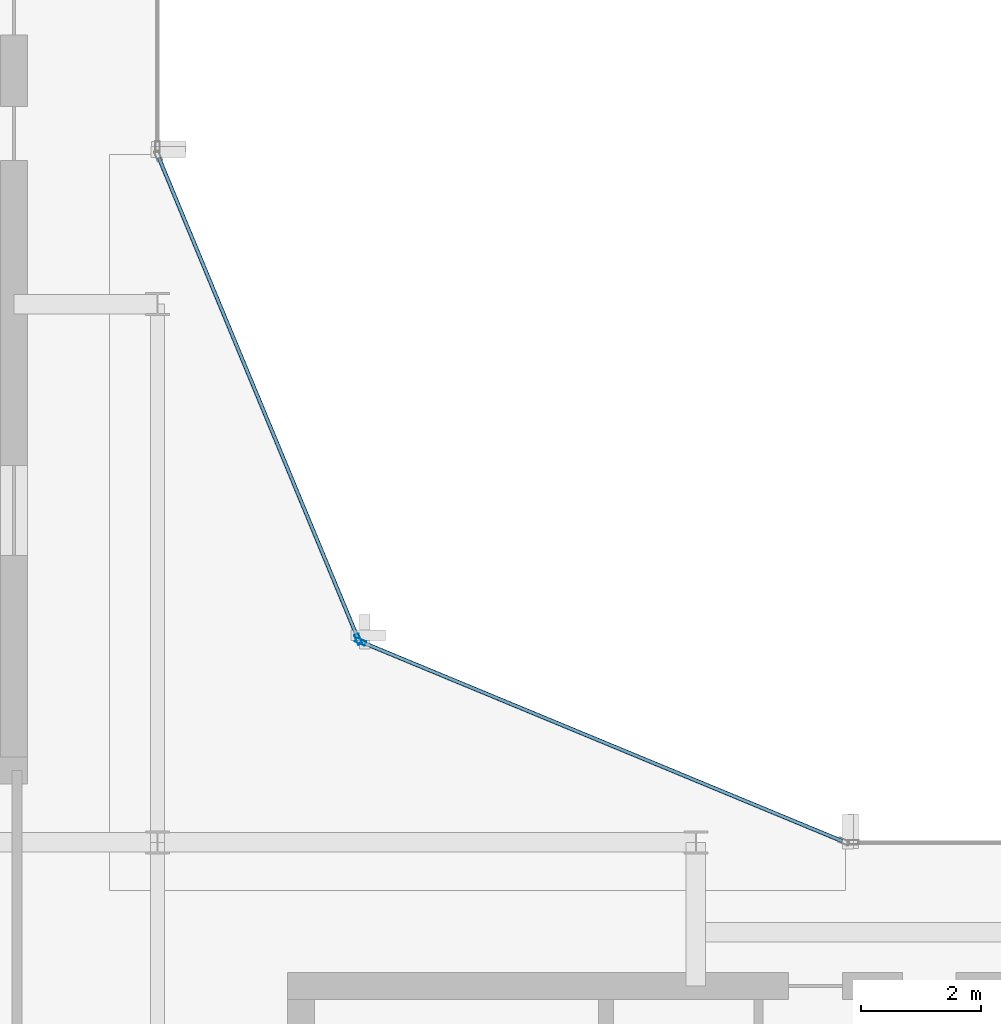
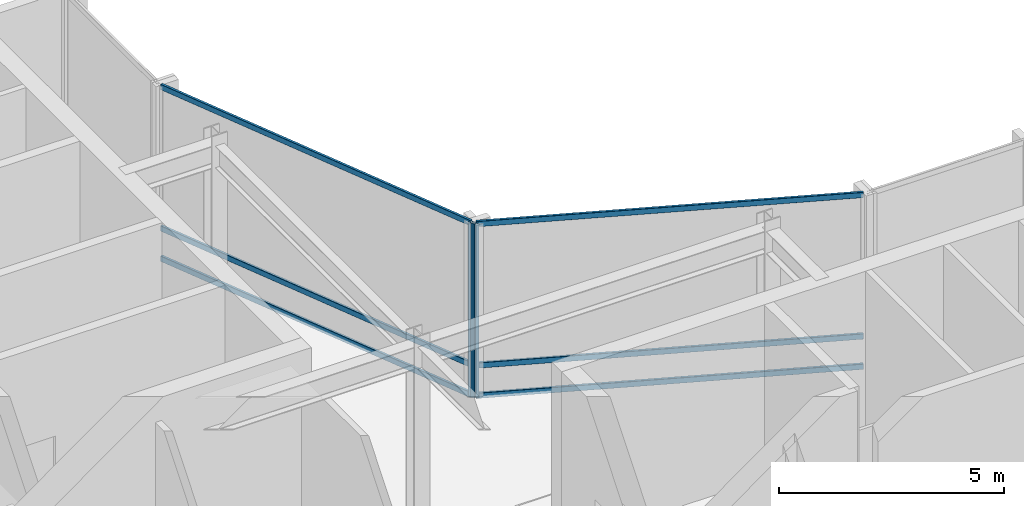
# One storey, part 10 of 23: 8 members, 2 elements without a shape of their own.
"""IFC4 building model written with IfcOpenShell, lengths in metres."""

from ifc_helpers import new_model, si_unit, direction, frame, origin, origin_2d, place, context, subcontext, project, spatial, hollow_rectangle, extrude, material, layer, layer_set, material_profile, profile_set, type_object, element, aggregate, save


model = new_model("IFC4")

# Units and contexts
model_context = context("Model", 3, precision=1e-05, world=origin(), true_north=direction((0.0, 1.0)))
body_context = subcontext(model_context, "Body", "Model", "MODEL_VIEW")
ifc_project = project(units=[si_unit("LENGTHUNIT", "METRE"), si_unit("AREAUNIT", "SQUARE_METRE"), si_unit("VOLUMEUNIT", "CUBIC_METRE"), si_unit("PLANEANGLEUNIT", "RADIAN"), si_unit("MASSUNIT", "GRAM", prefix="KILO")], contexts=[model_context])

# Site, building, storey
site_placement = place(None, origin())
site = spatial("IfcSite", under=ifc_project, at=site_placement, CompositionType="ELEMENT")
building_placement = place(site_placement, origin())
building = spatial("IfcBuilding", under=site, at=building_placement, Name="Solvaryn Broadcast Tower", CompositionType="ELEMENT")
storey_placement = place(building_placement, frame((0.0, 0.0, 235.800048828125)))
storey = spatial("IfcBuildingStorey", under=building, at=storey_placement, Name="L59", CompositionType="ELEMENT", Elevation=235.800048828125)

# Curtain wall, member
ifc_material_1 = material(Name="Aluminium and Terracotta Unitised Curtain Wall", Category="masonry")
ifc_layer = layer(ifc_material_1, 0.25)
ifc_layer_set = layer_set([ifc_layer], Name="CW-SYS4-SKYGARDEN")
curtain_wall_type = type_object("IfcCurtainWallType", Name="CW-SYS4-SKYGARDEN", PredefinedType="NOTDEFINED", material=ifc_layer_set)
curtain_wall_1_placement = place(storey_placement, origin())
curtain_wall_1 = element("IfcCurtainWall", 1, at=curtain_wall_1_placement, inside=storey, type_object=curtain_wall_type, Name="L59 Curtain Wall CN1", PredefinedType="NOTDEFINED")
ifc_material_2 = material(Name="Anodised Aluminium 6063-T6", Category="aluminium")
ifc_material_profile_1 = material_profile(ifc_material_2, hollow_rectangle(XDim=0.074951171875, YDim=0.179931640625, WallThickness=0.00390625, InnerFilletRadius=0.00390625, OuterFilletRadius=0.008056640625, at=origin_2d()))
ifc_profile_set_1 = profile_set([ifc_material_profile_1], Name="Anodised Aluminium 6063-T6")
member_type_1 = type_object("IfcMemberType", Name="CW-MUL-180", PredefinedType="MULLION", material=ifc_profile_set_1)
member_1_placement = place(storey_placement, frame((30.395751953125, 30.3564453125, 0.0), z_axis=(0.0, 0.0, 1.0), x_axis=(-0.382646127145, -0.923894983957, 0.0)))
member_1 = element("IfcMember", 2, at=member_1_placement, type_object=member_type_1, Name="CWS4 mullion 2", PredefinedType="MULLION", context=body_context, shape_type="SweptSolid", body=[
    extrude(hollow_rectangle(XDim=0.074951171875, YDim=0.179931640625, WallThickness=0.00390625, InnerFilletRadius=0.00390625, OuterFilletRadius=0.008056640625, at=origin_2d()), origin(), (0.0, 0.0, 1.0), 4.719970703125),
])

curtain_wall_2_placement = place(storey_placement, origin())
curtain_wall_2 = element("IfcCurtainWall", 3, at=curtain_wall_2_placement, inside=storey, type_object=curtain_wall_type, Name="L59 Curtain Wall CN2", PredefinedType="NOTDEFINED")
member_2_placement = place(storey_placement, frame((30.3564453125, 30.395751953125, 0.0), z_axis=(0.0, 0.0, 1.0), x_axis=(-0.923894983957, -0.382646127145, 0.0)))
member_2 = element("IfcMember", 4, at=member_2_placement, type_object=member_type_1, Name="CWS4 mullion 1", PredefinedType="MULLION", context=body_context, shape_type="SweptSolid", body=[
    extrude(hollow_rectangle(XDim=0.074951171875, YDim=0.179931640625, WallThickness=0.00390625, InnerFilletRadius=0.00390625, OuterFilletRadius=0.008056640625, at=origin_2d()), origin(), (0.0, 0.0, 1.0), 4.719970703125),
])

# Member
ifc_material_3 = material(Name="Anodised Aluminium 6063-T6", Category="aluminium")
ifc_material_profile_2 = material_profile(ifc_material_3, hollow_rectangle(XDim=0.06494140625, YDim=0.14990234375, WallThickness=0.00390625, InnerFilletRadius=0.00390625, OuterFilletRadius=0.008056640625, at=origin_2d()))
ifc_profile_set_2 = profile_set([ifc_material_profile_2], Name="Anodised Aluminium 6063-T6")
member_type_2 = type_object("IfcMemberType", Name="CW-TRN-150", PredefinedType="USERDEFINED", material=ifc_profile_set_2)
member_3_placement = place(storey_placement, frame((38.444580078125, 27.02294921875, 0.030029296875), z_axis=(-0.923899282177, 0.382635748975, 0.0), x_axis=(-0.382635748975, -0.923899282177, 0.0)))
member_3 = element("IfcMember", 5, at=member_3_placement, type_object=member_type_2, Name="CWS4 transom 1.1", ObjectType="TRANSOM", PredefinedType="USERDEFINED", context=body_context, shape_type="SweptSolid", body=[
    extrude(hollow_rectangle(XDim=0.06494140625, YDim=0.14990234375, WallThickness=0.00390625, InnerFilletRadius=0.00390625, OuterFilletRadius=0.008056640625, at=origin_2d()), origin(), (0.0, 0.0, 1.0), 8.681884765625),
])

member_4_placement = place(storey_placement, frame((38.444580078125, 27.02294921875, 0.849853515625), z_axis=(-0.923899282177, 0.382635748975, 0.0), x_axis=(-0.382635748975, -0.923899282177, 0.0)))
member_4 = element("IfcMember", 6, at=member_4_placement, type_object=member_type_2, Name="CWS4 transom 1.2", ObjectType="TRANSOM", PredefinedType="USERDEFINED", context=body_context, shape_type="SweptSolid", body=[
    extrude(hollow_rectangle(XDim=0.06494140625, YDim=0.14990234375, WallThickness=0.00390625, InnerFilletRadius=0.00390625, OuterFilletRadius=0.008056640625, at=origin_2d()), origin(), (0.0, 0.0, 1.0), 8.681884765625),
])

member_5_placement = place(storey_placement, frame((38.444580078125, 27.02294921875, 4.68994140625), z_axis=(-0.923899282177, 0.382635748975, 0.0), x_axis=(-0.382635748975, -0.923899282177, 0.0)))
member_5 = element("IfcMember", 7, at=member_5_placement, type_object=member_type_2, Name="CWS4 transom 1.3", ObjectType="TRANSOM", PredefinedType="USERDEFINED", context=body_context, shape_type="SweptSolid", body=[
    extrude(hollow_rectangle(XDim=0.06494140625, YDim=0.14990234375, WallThickness=0.00390625, InnerFilletRadius=0.00390625, OuterFilletRadius=0.008056640625, at=origin_2d()), origin(), (0.0, 0.0, 1.0), 8.681884765625),
])

aggregate(curtain_wall_1, [member_1, member_3, member_4, member_5])

member_6_placement = place(storey_placement, frame((30.344970703125, 30.42333984375, 0.030029296875), z_axis=(-0.382635748975, 0.923899282177, 0.0), x_axis=(-0.923899282177, -0.382635748975, 0.0)))
member_6 = element("IfcMember", 8, at=member_6_placement, type_object=member_type_2, Name="CWS4 transom 1.1", ObjectType="TRANSOM", PredefinedType="USERDEFINED", context=body_context, shape_type="SweptSolid", body=[
    extrude(hollow_rectangle(XDim=0.06494140625, YDim=0.14990234375, WallThickness=0.00390625, InnerFilletRadius=0.00390625, OuterFilletRadius=0.008056640625, at=origin_2d()), origin(), (0.0, 0.0, 1.0), 8.681884765625),
])

member_7_placement = place(storey_placement, frame((30.344970703125, 30.42333984375, 0.849853515625), z_axis=(-0.382635748975, 0.923899282177, 0.0), x_axis=(-0.923899282177, -0.382635748975, 0.0)))
member_7 = element("IfcMember", 9, at=member_7_placement, type_object=member_type_2, Name="CWS4 transom 1.2", ObjectType="TRANSOM", PredefinedType="USERDEFINED", context=body_context, shape_type="SweptSolid", body=[
    extrude(hollow_rectangle(XDim=0.06494140625, YDim=0.14990234375, WallThickness=0.00390625, InnerFilletRadius=0.00390625, OuterFilletRadius=0.008056640625, at=origin_2d()), origin(), (0.0, 0.0, 1.0), 8.681884765625),
])

member_8_placement = place(storey_placement, frame((30.344970703125, 30.42333984375, 4.68994140625), z_axis=(-0.382635748975, 0.923899282177, 0.0), x_axis=(-0.923899282177, -0.382635748975, 0.0)))
member_8 = element("IfcMember", 10, at=member_8_placement, type_object=member_type_2, Name="CWS4 transom 1.3", ObjectType="TRANSOM", PredefinedType="USERDEFINED", context=body_context, shape_type="SweptSolid", body=[
    extrude(hollow_rectangle(XDim=0.06494140625, YDim=0.14990234375, WallThickness=0.00390625, InnerFilletRadius=0.00390625, OuterFilletRadius=0.008056640625, at=origin_2d()), origin(), (0.0, 0.0, 1.0), 8.681884765625),
])

aggregate(curtain_wall_2, [member_2, member_6, member_7, member_8])

save(model, "model.ifc")
